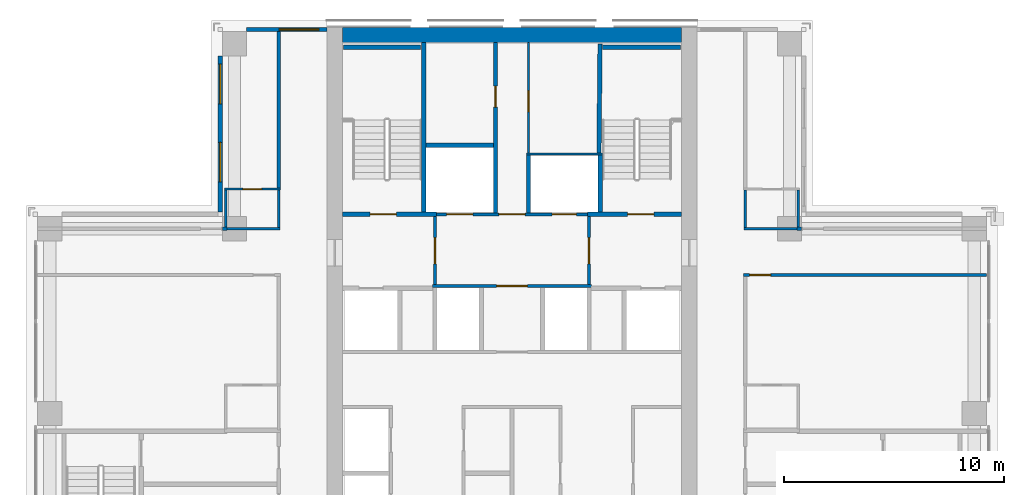
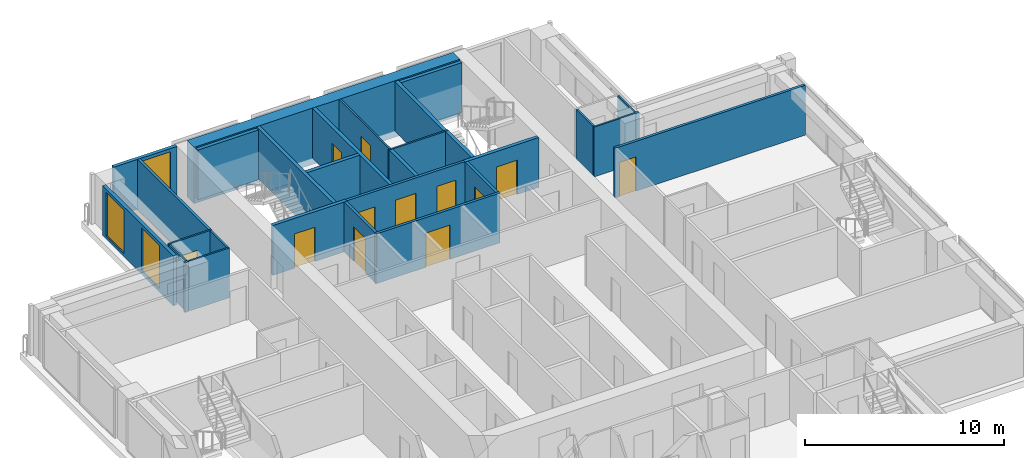
# One storey, part 12 of 16: 30 walls, 12 doors, 3 windows, 15 openings.
"""IFC4 building model written with IfcOpenShell, lengths in metres."""

from ifc_helpers import new_model, si_unit, direction, frame, frame_2d, origin, place, context, subcontext, project, spatial, rectangle, extrude, material, layer, layer_set, type_object, element, fill, save


model = new_model("IFC4")

# Units and contexts
model_context = context("Model", 3, precision=1e-05, world=origin(), true_north=direction((0.0, 1.0)))
body_context = subcontext(model_context, "Body", "Model", "MODEL_VIEW")
ifc_project = project(units=[si_unit("LENGTHUNIT", "METRE"), si_unit("AREAUNIT", "SQUARE_METRE"), si_unit("VOLUMEUNIT", "CUBIC_METRE"), si_unit("PLANEANGLEUNIT", "RADIAN"), si_unit("MASSUNIT", "GRAM", prefix="KILO")], contexts=[model_context])

# Site, building, storey
site_placement = place(None, origin())
site = spatial("IfcSite", under=ifc_project, at=site_placement, CompositionType="ELEMENT")
building_placement = place(site_placement, origin())
building = spatial("IfcBuilding", under=site, at=building_placement, Name="Vermilion Ogive Tower", CompositionType="ELEMENT")
storey_placement = place(building_placement, frame((0.0, 0.0, 136.550048828125)))
storey = spatial("IfcBuildingStorey", under=building, at=storey_placement, Name="L34", CompositionType="ELEMENT", Elevation=136.550048828125)

# Walls
ifc_material_1 = material(Name="Concrete B60", Category="concrete")
ifc_layer_1 = layer(ifc_material_1, 0.699951171875)
ifc_layer_set_1 = layer_set([ifc_layer_1], Name="Core wall 700 B60")
wall_type_1 = type_object("IfcWallType", Name="Core wall 700 B60", PredefinedType="SHEAR", material=ifc_layer_set_1)
wall_1_placement = place(storey_placement, frame((-7.699951171875, 21.39990234375, -0.400146484375), z_axis=(0.0, 0.0, 1.0), x_axis=(1.0, 0.0, 0.0)))
element("IfcWall", 1, at=wall_1_placement, inside=storey, type_object=wall_type_1, Name="L34-CORE-N", PredefinedType="SHEAR", context=body_context, shape_type="SweptSolid", body=[
    extrude(rectangle(XDim=15.39990234375, YDim=0.699951171875, at=frame_2d((7.699951171875, 0.0))), origin(), (0.0, 0.0, 1.0), 3.4501953125),
])
ifc_material_2 = material(Name="Gypsum board partition on steel studs", Category="steel")
ifc_layer_2 = layer(ifc_material_2, 0.10009765625)
ifc_layer_set_2 = layer_set([ifc_layer_2], Name="Partition 100 bath")
wall_type_2 = type_object("IfcWallType", Name="Partition 100 bath", PredefinedType="PARTITIONING", material=ifc_layer_set_2)
for number, where, z_axis, x_axis, name in (
    (2, (-13.050048828125, 12.60009765625, 0.0), (0.0, 0.0, 1.0), (1.0, 0.0, 0.0), "L34-W-W032"),
    (3, (10.550048828125, 12.60009765625, 0.0), (0.0, 0.0, 1.0), (1.0, 0.0, 0.0), "L34-W-W033"),
):
    element("IfcWall", number, at=place(storey_placement, frame(where, z_axis=z_axis, x_axis=x_axis)), inside=storey, type_object=wall_type_2, Name=name, PredefinedType="PARTITIONING", context=body_context, shape_type="SweptSolid", body=[
        extrude(rectangle(XDim=2.5, YDim=0.10009765625, at=frame_2d((1.25, 0.0))), origin(), (0.0, 0.0, 1.0), 3.050048828125),
    ])

# Wall, opening, door
wall_2_placement = place(storey_placement, frame((-13.050048828125, 14.39990234375, 0.0), z_axis=(0.0, 0.0, 1.0), x_axis=(1.0, 0.0, 0.0)))
wall_2 = element("IfcWall", 4, at=wall_2_placement, inside=storey, type_object=wall_type_2, Name="L34-W-W035", PredefinedType="PARTITIONING", context=body_context, shape_type="SweptSolid", body=[
    extrude(rectangle(XDim=2.525146484375, YDim=0.10009765625, at=frame_2d((1.2626953125, 0.0))), origin(), (0.0, 0.0, 1.0), 3.050048828125),
])
opening_1_placement = place(wall_2_placement, frame((0.824951171875, 0.0, 0.0)))
opening_1 = element("IfcOpeningElement", 5, at=opening_1_placement, cuts=wall_2, Name="Opening D3G1006", PredefinedType="OPENING", context=body_context, shape_type="SweptSolid", body=[
    extrude(rectangle(XDim=0.85009765625, YDim=2.10009765625, at=frame_2d((0.425048828125, 1.050048828125))), frame((0.0, 0.06005859375, 0.0), z_axis=(0.0, -1.0, 0.0), x_axis=(1.0, 0.0, 0.0)), (0.0, 0.0, 1.0), 0.1201171875),
])
ifc_material_3 = material(Name="Timber door leaf", Category="wood")
door_type_1 = type_object("IfcDoorType", Name="Bath door 850 x 2100 FD30", OperationType="SINGLE_SWING_LEFT", PredefinedType="DOOR", material=ifc_material_3)
door_1_placement = place(opening_1_placement, origin())
door_1 = element("IfcDoor", 6, at=door_1_placement, inside=storey, type_object=door_type_1, Name="L34-D-D006", OperationType="SINGLE_SWING_RIGHT", OverallHeight=2.10009765625, OverallWidth=0.85009765625, PredefinedType="DOOR", context=body_context, shape_type="SweptSolid", body=[
    extrude(rectangle(XDim=0.85009765625, YDim=2.10009765625, at=frame_2d((0.425048828125, 1.050048828125))), frame((0.0, 0.02490234375, 0.0), z_axis=(0.0, -1.0, 0.0), x_axis=(1.0, 0.0, 0.0)), (0.0, 0.0, 1.0), 0.050048828125),
])
fill(opening_1, door_1)

# Walls
wall_3_placement = place(storey_placement, frame((-13.0, 12.675048828125, 0.0), z_axis=(0.0, 0.0, 1.0), x_axis=(0.0, 1.0, 0.0)))
element("IfcWall", 7, at=wall_3_placement, inside=storey, type_object=wall_type_2, Name="L34-W-W041", PredefinedType="PARTITIONING", context=body_context, shape_type="SweptSolid", body=[
    extrude(rectangle(XDim=1.675048828125, YDim=0.10009765625, at=frame_2d((0.83740234375, 0.0))), origin(), (0.0, 0.0, 1.0), 3.050048828125),
])
for number, where, z_axis, x_axis, name in (
    (8, (-10.60009765625, 12.64990234375, 0.0), (0.0, 0.0, 1.0), (0.0, 1.0, 0.0), "L34-W-W047"),
    (9, (10.60009765625, 12.64990234375, 0.0), (0.0, 0.0, 1.0), (0.0, 1.0, 0.0), "L34-W-W061"),
):
    element("IfcWall", number, at=place(storey_placement, frame(where, z_axis=z_axis, x_axis=x_axis)), inside=storey, type_object=wall_type_2, Name=name, PredefinedType="PARTITIONING", context=body_context, shape_type="SweptSolid", body=[
        extrude(rectangle(XDim=1.7001953125, YDim=0.10009765625, at=frame_2d((0.85009765625, 0.0))), origin(), (0.0, 0.0, 1.0), 3.050048828125),
    ])
wall_4_placement = place(storey_placement, frame((13.0, 12.675048828125, 0.0), z_axis=(0.0, 0.0, 1.0), x_axis=(0.0, 1.0, 0.0)))
element("IfcWall", 10, at=wall_4_placement, inside=storey, type_object=wall_type_2, Name="L34-W-W065", PredefinedType="PARTITIONING", context=body_context, shape_type="SweptSolid", body=[
    extrude(rectangle(XDim=1.675048828125, YDim=0.10009765625, at=frame_2d((0.83740234375, 0.0))), origin(), (0.0, 0.0, 1.0), 3.050048828125),
])
wall_5_placement = place(storey_placement, frame((0.64990234375, 16.0, 0.0), z_axis=(0.0, 0.0, 1.0), x_axis=(1.0, 0.0, 0.0)))
element("IfcWall", 11, at=wall_5_placement, inside=storey, type_object=wall_type_2, Name="L34-CK-W-W018", PredefinedType="PARTITIONING", context=body_context, shape_type="SweptSolid", body=[
    extrude(rectangle(XDim=3.4501953125, YDim=0.10009765625, at=frame_2d((1.72509765625, 0.0))), origin(), (0.0, 0.0, 1.0), 3.050048828125),
])

# Wall, opening, door
wall_6_placement = place(storey_placement, frame((0.75, 16.050048828125, 0.0), z_axis=(0.0, 0.0, 1.0), x_axis=(0.0, 1.0, 0.0)))
wall_6 = element("IfcWall", 12, at=wall_6_placement, inside=storey, type_object=wall_type_2, Name="L34-CK-W-W030", PredefinedType="PARTITIONING", context=body_context, shape_type="SweptSolid", body=[
    extrude(rectangle(XDim=4.9990234375, YDim=0.10009765625, at=frame_2d((2.49951171875, 0.0))), origin(), (0.0, 0.0, 1.0), 3.050048828125),
])
opening_2_placement = place(wall_6_placement, frame((1.875, 0.0, 0.0)))
opening_2 = element("IfcOpeningElement", 13, at=opening_2_placement, cuts=wall_6, Name="Opening DAA288", PredefinedType="OPENING", context=body_context, shape_type="SweptSolid", body=[
    extrude(rectangle(XDim=0.949951171875, YDim=2.10009765625, at=frame_2d((0.47509765625, 1.050048828125))), frame((0.0, 0.06005859375, 0.0), z_axis=(0.0, -1.0, 0.0), x_axis=(1.0, 0.0, 0.0)), (0.0, 0.0, 1.0), 0.1201171875),
])
ifc_material_4 = material(Name="Timber door leaf", Category="wood")
door_type_2 = type_object("IfcDoorType", Name="Service door 950 x 2100 FD60", OperationType="SINGLE_SWING_LEFT", PredefinedType="DOOR", material=ifc_material_4)
door_2_placement = place(opening_2_placement, origin())
door_2 = element("IfcDoor", 14, at=door_2_placement, inside=storey, type_object=door_type_2, Name="L34-CK-D-D022", OperationType="SINGLE_SWING_LEFT", OverallHeight=2.10009765625, OverallWidth=0.949951171875, PredefinedType="DOOR", context=body_context, shape_type="SweptSolid", body=[
    extrude(rectangle(XDim=0.949951171875, YDim=2.10009765625, at=frame_2d((0.47509765625, 1.050048828125))), frame((0.0, 0.02490234375, 0.0), z_axis=(0.0, -1.0, 0.0), x_axis=(1.0, 0.0, 0.0)), (0.0, 0.0, 1.0), 0.050048828125),
])
fill(opening_2, door_2)

ifc_material_5 = material(Name="Gypsum board partition on steel studs", Category="steel")
ifc_layer_3 = layer(ifc_material_5, 0.14990234375)
ifc_layer_set_3 = layer_set([ifc_layer_3], Name="Partition 150 corridor")
wall_type_3 = type_object("IfcWallType", Name="Partition 150 corridor", PredefinedType="PARTITIONING", material=ifc_layer_set_3)
wall_7_placement = place(storey_placement, frame((10.52490234375, 10.5, 0.0), z_axis=(0.0, 0.0, 1.0), x_axis=(1.0, 0.0, 0.0)))
wall_7 = element("IfcWall", 15, at=wall_7_placement, inside=storey, type_object=wall_type_3, Name="L34-W-W030", PredefinedType="PARTITIONING", context=body_context, shape_type="SweptSolid", body=[
    extrude(rectangle(XDim=11.025146484375, YDim=0.14990234375, at=frame_2d((5.5126953125, 0.0))), origin(), (0.0, 0.0, 1.0), 3.050048828125),
])
opening_3_placement = place(wall_7_placement, frame((0.275146484375, 0.0, 0.0)))
opening_3 = element("IfcOpeningElement", 16, at=opening_3_placement, cuts=wall_7, Name="Opening D3G1013", PredefinedType="OPENING", context=body_context, shape_type="SweptSolid", body=[
    extrude(rectangle(XDim=0.949951171875, YDim=2.10009765625, at=frame_2d((0.47509765625, 1.050048828125))), frame((0.0, 0.0849609375, 0.0), z_axis=(0.0, -1.0, 0.0), x_axis=(1.0, 0.0, 0.0)), (0.0, 0.0, 1.0), 0.169921875),
])
ifc_material_6 = material(Name="Timber door leaf", Category="wood")
door_type_3 = type_object("IfcDoorType", Name="Unit door 950 x 2100 FD30S", OperationType="SINGLE_SWING_LEFT", PredefinedType="DOOR", material=ifc_material_6)
door_3_placement = place(opening_3_placement, origin())
door_3 = element("IfcDoor", 17, at=door_3_placement, inside=storey, type_object=door_type_3, Name="L34-D-D013", OperationType="SINGLE_SWING_RIGHT", OverallHeight=2.10009765625, OverallWidth=0.949951171875, PredefinedType="DOOR", context=body_context, shape_type="SweptSolid", body=[
    extrude(rectangle(XDim=0.949951171875, YDim=2.10009765625, at=frame_2d((0.47509765625, 1.050048828125))), frame((0.0, 0.02490234375, 0.0), z_axis=(0.0, -1.0, 0.0), x_axis=(1.0, 0.0, 0.0)), (0.0, 0.0, 1.0), 0.050048828125),
])
fill(opening_3, door_3)

# Walls
wall_8_placement = place(storey_placement, frame((12.949951171875, 12.60009765625, 0.0), z_axis=(0.0, 0.0, 1.0), x_axis=(1.0, 0.0, 0.0)))
element("IfcWall", 18, at=wall_8_placement, inside=storey, type_object=wall_type_3, Name="L34-W-W034", PredefinedType="PARTITIONING", context=body_context, shape_type="SweptSolid", body=[
    extrude(rectangle(XDim=0.199951171875, YDim=0.14990234375, at=frame_2d((0.10009765625, 0.0))), origin(), (0.0, 0.0, 1.0), 3.050048828125),
])
wall_9_placement = place(storey_placement, frame((-10.60009765625, 14.449951171875, 0.0), z_axis=(0.0, 0.0, 1.0), x_axis=(0.0, 1.0, 0.0)))
element("IfcWall", 19, at=wall_9_placement, inside=storey, type_object=wall_type_3, Name="L34-W-W048", PredefinedType="PARTITIONING", context=body_context, shape_type="SweptSolid", body=[
    extrude(rectangle(XDim=7.10009765625, YDim=0.14990234375, at=frame_2d((3.550048828125, 0.0))), origin(), (0.0, 0.0, 1.0), 3.050048828125),
])

# Wall, opening, door
wall_10_placement = place(storey_placement, frame((-3.60009765625, 10.0, 0.0), z_axis=(0.0, 0.0, 1.0), x_axis=(1.0, 0.0, 0.0)))
wall_10 = element("IfcWall", 20, at=wall_10_placement, inside=storey, type_object=wall_type_3, Name="L34-CK-W-W014", PredefinedType="PARTITIONING", context=body_context, shape_type="SweptSolid", body=[
    extrude(rectangle(XDim=7.2001953125, YDim=0.14990234375, at=frame_2d((3.60009765625, 0.0))), origin(), (0.0, 0.0, 1.0), 3.050048828125),
])
opening_4_placement = place(wall_10_placement, frame((2.900146484375, 0.0, 0.0)))
opening_4 = element("IfcOpeningElement", 21, at=opening_4_placement, cuts=wall_10, Name="Opening DAA279", PredefinedType="OPENING", context=body_context, shape_type="SweptSolid", body=[
    extrude(rectangle(XDim=1.39990234375, YDim=2.10009765625, at=frame_2d((0.699951171875, 1.050048828125))), frame((0.0, 0.0849609375, 0.0), z_axis=(0.0, -1.0, 0.0), x_axis=(1.0, 0.0, 0.0)), (0.0, 0.0, 1.0), 0.169921875),
])
ifc_material_7 = material(Name="Timber door leaf", Category="wood")
door_type_4 = type_object("IfcDoorType", Name="Lobby door 1400 x 2100 FD60S", OperationType="SINGLE_SWING_LEFT", PredefinedType="DOOR", material=ifc_material_7)
door_4_placement = place(opening_4_placement, origin())
door_4 = element("IfcDoor", 22, at=door_4_placement, inside=storey, type_object=door_type_4, Name="L34-CK-D-D017", OperationType="SINGLE_SWING_RIGHT", OverallHeight=2.10009765625, OverallWidth=1.39990234375, PredefinedType="DOOR", context=body_context, shape_type="SweptSolid", body=[
    extrude(rectangle(XDim=1.39990234375, YDim=2.10009765625, at=frame_2d((0.699951171875, 1.050048828125))), frame((0.0, 0.02490234375, 0.0), z_axis=(0.0, -1.0, 0.0), x_axis=(1.0, 0.0, 0.0)), (0.0, 0.0, 1.0), 0.050048828125),
])
fill(opening_4, door_4)

# Wall, openings, doors
wall_11_placement = place(storey_placement, frame((-3.574951171875, 13.25, 0.0), z_axis=(0.0, 0.0, 1.0), x_axis=(1.0, 0.0, 0.0)))
wall_11 = element("IfcWall", 23, at=wall_11_placement, inside=storey, type_object=wall_type_3, Name="L34-CK-W-W016", PredefinedType="PARTITIONING", context=body_context, shape_type="SweptSolid", body=[
    extrude(rectangle(XDim=7.14990234375, YDim=0.14990234375, at=frame_2d((3.574951171875, 0.0))), origin(), (0.0, 0.0, 1.0), 3.050048828125),
])
opening_5_placement = place(wall_11_placement, frame((0.599853515625, 0.0, 0.0)))
opening_5 = element("IfcOpeningElement", 24, at=opening_5_placement, cuts=wall_11, Name="Opening DAA299", PredefinedType="OPENING", context=body_context, shape_type="SweptSolid", body=[
    extrude(rectangle(XDim=1.199951171875, YDim=2.10009765625, at=frame_2d((0.60009765625, 1.050048828125))), frame((0.0, 0.0849609375, 0.0), z_axis=(0.0, -1.0, 0.0), x_axis=(1.0, 0.0, 0.0)), (0.0, 0.0, 1.0), 0.169921875),
])
opening_6_placement = place(wall_11_placement, frame((5.39990234375, 0.0, 0.0)))
opening_6 = element("IfcOpeningElement", 25, at=opening_6_placement, cuts=wall_11, Name="Opening DAA298", PredefinedType="OPENING", context=body_context, shape_type="SweptSolid", body=[
    extrude(rectangle(XDim=1.10009765625, YDim=2.10009765625, at=frame_2d((0.550048828125, 1.050048828125))), frame((0.0, 0.0849609375, 0.0), z_axis=(0.0, -1.0, 0.0), x_axis=(1.0, 0.0, 0.0)), (0.0, 0.0, 1.0), 0.169921875),
])
opening_7_placement = place(wall_11_placement, frame((2.974853515625, 0.0, 0.0)))
opening_7 = element("IfcOpeningElement", 26, at=opening_7_placement, cuts=wall_11, Name="Opening DAA280", PredefinedType="OPENING", context=body_context, shape_type="SweptSolid", body=[
    extrude(rectangle(XDim=1.199951171875, YDim=2.10009765625, at=frame_2d((0.60009765625, 1.050048828125))), frame((0.0, 0.0849609375, 0.0), z_axis=(0.0, -1.0, 0.0), x_axis=(1.0, 0.0, 0.0)), (0.0, 0.0, 1.0), 0.169921875),
])
ifc_material_8 = material(Name="Stainless steel", Category="steel")
door_type_5 = type_object("IfcDoorType", Name="Lift landing door 1100 x 2100", OperationType="SLIDING_TO_LEFT", PredefinedType="DOOR", material=ifc_material_8)
door_5_placement = place(opening_6_placement, origin())
door_5 = element("IfcDoor", 27, at=door_5_placement, inside=storey, type_object=door_type_5, Name="L34-CK-D-D019", OperationType="SLIDING_TO_LEFT", OverallHeight=2.10009765625, OverallWidth=1.10009765625, PredefinedType="DOOR", context=body_context, shape_type="SweptSolid", body=[
    extrude(rectangle(XDim=1.10009765625, YDim=2.10009765625, at=frame_2d((0.550048828125, 1.050048828125))), frame((0.0, 0.02490234375, 0.0), z_axis=(0.0, -1.0, 0.0), x_axis=(1.0, 0.0, 0.0)), (0.0, 0.0, 1.0), 0.050048828125),
])
fill(opening_6, door_5)
ifc_material_9 = material(Name="Stainless steel", Category="steel")
door_type_6 = type_object("IfcDoorType", Name="Lift landing door 1200 x 2100", OperationType="SLIDING_TO_LEFT", PredefinedType="DOOR", material=ifc_material_9)
door_6_placement = place(opening_5_placement, origin())
door_6 = element("IfcDoor", 28, at=door_6_placement, inside=storey, type_object=door_type_6, Name="L34-CK-D-D018", OperationType="SLIDING_TO_RIGHT", OverallHeight=2.10009765625, OverallWidth=1.199951171875, PredefinedType="DOOR", context=body_context, shape_type="SweptSolid", body=[
    extrude(rectangle(XDim=1.199951171875, YDim=2.10009765625, at=frame_2d((0.60009765625, 1.050048828125))), frame((0.0, 0.02490234375, 0.0), z_axis=(0.0, -1.0, 0.0), x_axis=(1.0, 0.0, 0.0)), (0.0, 0.0, 1.0), 0.050048828125),
])
fill(opening_5, door_6)
ifc_material_10 = material(Name="Timber door leaf", Category="wood")
door_type_7 = type_object("IfcDoorType", Name="Service door 1200 x 2100 FD60", OperationType="SINGLE_SWING_LEFT", PredefinedType="DOOR", material=ifc_material_10)
door_7_placement = place(opening_7_placement, origin())
door_7 = element("IfcDoor", 29, at=door_7_placement, inside=storey, type_object=door_type_7, Name="L34-CK-D-D020", OperationType="SINGLE_SWING_RIGHT", OverallHeight=2.10009765625, OverallWidth=1.199951171875, PredefinedType="DOOR", context=body_context, shape_type="SweptSolid", body=[
    extrude(rectangle(XDim=1.199951171875, YDim=2.10009765625, at=frame_2d((0.60009765625, 1.050048828125))), frame((0.0, 0.02490234375, 0.0), z_axis=(0.0, -1.0, 0.0), x_axis=(1.0, 0.0, 0.0)), (0.0, 0.0, 1.0), 0.050048828125),
])
fill(opening_7, door_7)

# Wall, opening, door
wall_12_placement = place(storey_placement, frame((-3.5, 10.074951171875, 0.0), z_axis=(0.0, 0.0, 1.0), x_axis=(0.0, 1.0, 0.0)))
wall_12 = element("IfcWall", 30, at=wall_12_placement, inside=storey, type_object=wall_type_3, Name="L34-CK-W-W024", PredefinedType="PARTITIONING", context=body_context, shape_type="SweptSolid", body=[
    extrude(rectangle(XDim=3.074951171875, YDim=0.14990234375, at=frame_2d((1.53759765625, 0.0))), origin(), (0.0, 0.0, 1.0), 3.050048828125),
])
opening_8_placement = place(wall_12_placement, frame((0.925048828125, 0.0, 0.0)))
opening_8 = element("IfcOpeningElement", 31, at=opening_8_placement, cuts=wall_12, Name="Opening DAA276", PredefinedType="OPENING", context=body_context, shape_type="SweptSolid", body=[
    extrude(rectangle(XDim=1.199951171875, YDim=2.10009765625, at=frame_2d((0.60009765625, 1.050048828125))), frame((0.0, 0.0849609375, 0.0), z_axis=(0.0, -1.0, 0.0), x_axis=(1.0, 0.0, 0.0)), (0.0, 0.0, 1.0), 0.169921875),
])
ifc_material_11 = material(Name="Timber door leaf", Category="wood")
door_type_8 = type_object("IfcDoorType", Name="Lobby door 1200 x 2100 FD60S", OperationType="SINGLE_SWING_LEFT", PredefinedType="DOOR", material=ifc_material_11)
door_8_placement = place(opening_8_placement, origin())
door_8 = element("IfcDoor", 32, at=door_8_placement, inside=storey, type_object=door_type_8, Name="L34-CK-D-D023", OperationType="SINGLE_SWING_RIGHT", OverallHeight=2.10009765625, OverallWidth=1.199951171875, PredefinedType="DOOR", context=body_context, shape_type="SweptSolid", body=[
    extrude(rectangle(XDim=1.199951171875, YDim=2.10009765625, at=frame_2d((0.60009765625, 1.050048828125))), frame((0.0, 0.02490234375, 0.0), z_axis=(0.0, -1.0, 0.0), x_axis=(1.0, 0.0, 0.0)), (0.0, 0.0, 1.0), 0.050048828125),
])
fill(opening_8, door_8)

wall_13_placement = place(storey_placement, frame((3.5, 10.074951171875, 0.0), z_axis=(0.0, 0.0, 1.0), x_axis=(0.0, 1.0, 0.0)))
wall_13 = element("IfcWall", 33, at=wall_13_placement, inside=storey, type_object=wall_type_3, Name="L34-CK-W-W034", PredefinedType="PARTITIONING", context=body_context, shape_type="SweptSolid", body=[
    extrude(rectangle(XDim=3.074951171875, YDim=0.14990234375, at=frame_2d((1.53759765625, 0.0))), origin(), (0.0, 0.0, 1.0), 3.050048828125),
])
opening_9_placement = place(wall_13_placement, frame((0.925048828125, 0.0, 0.0)))
opening_9 = element("IfcOpeningElement", 34, at=opening_9_placement, cuts=wall_13, Name="Opening DAA277", PredefinedType="OPENING", context=body_context, shape_type="SweptSolid", body=[
    extrude(rectangle(XDim=1.199951171875, YDim=2.10009765625, at=frame_2d((0.60009765625, 1.050048828125))), frame((0.0, 0.0849609375, 0.0), z_axis=(0.0, -1.0, 0.0), x_axis=(1.0, 0.0, 0.0)), (0.0, 0.0, 1.0), 0.169921875),
])
door_9_placement = place(opening_9_placement, origin())
door_9 = element("IfcDoor", 35, at=door_9_placement, inside=storey, type_object=door_type_8, Name="L34-CK-D-D024", OperationType="SINGLE_SWING_LEFT", OverallHeight=2.10009765625, OverallWidth=1.199951171875, PredefinedType="DOOR", context=body_context, shape_type="SweptSolid", body=[
    extrude(rectangle(XDim=1.199951171875, YDim=2.10009765625, at=frame_2d((0.60009765625, 1.050048828125))), frame((0.0, 0.02490234375, 0.0), z_axis=(0.0, -1.0, 0.0), x_axis=(1.0, 0.0, 0.0)), (0.0, 0.0, 1.0), 0.050048828125),
])
fill(opening_9, door_9)

# Walls
wall_14_placement = place(storey_placement, frame((-13.14990234375, 12.60009765625, 0.0), z_axis=(0.0, 0.0, 1.0), x_axis=(1.0, 0.0, 0.0)))
element("IfcWall", 36, at=wall_14_placement, inside=storey, type_object=wall_type_3, Name="L34-W-W031-h2", PredefinedType="PARTITIONING", context=body_context, shape_type="SweptSolid", body=[
    extrude(rectangle(XDim=0.199951171875, YDim=0.14990234375, at=frame_2d((0.10009765625, 0.0))), origin(), (0.0, 0.0, 1.0), 3.050048828125),
])
ifc_material_12 = material(Name="Gypsum board partition on steel studs", Category="steel")
ifc_layer_4 = layer(ifc_material_12, 0.199951171875)
ifc_layer_set_4 = layer_set([ifc_layer_4], Name="Partition 200 party")
wall_type_4 = type_object("IfcWallType", Name="Partition 200 party", PredefinedType="PARTITIONING", material=ifc_layer_set_4)
wall_15_placement = place(storey_placement, frame((-3.89990234375, 16.39990234375, 0.0), z_axis=(0.0, 0.0, 1.0), x_axis=(1.0, 0.0, 0.0)))
element("IfcWall", 37, at=wall_15_placement, inside=storey, type_object=wall_type_4, Name="L34-CK-W-W019", PredefinedType="PARTITIONING", context=body_context, shape_type="SweptSolid", body=[
    extrude(rectangle(XDim=3.0498046875, YDim=0.199951171875, at=frame_2d((1.52490234375, 0.0))), origin(), (0.0, 0.0, 1.0), 3.050048828125),
])

# Wall, opening, door
wall_16_placement = place(storey_placement, frame((-0.75, 13.324951171875, 0.0), z_axis=(0.0, 0.0, 1.0), x_axis=(0.0, 1.0, 0.0)))
wall_16 = element("IfcWall", 38, at=wall_16_placement, inside=storey, type_object=wall_type_4, Name="L34-CK-W-W027", PredefinedType="PARTITIONING", context=body_context, shape_type="SweptSolid", body=[
    extrude(rectangle(XDim=7.72412109375, YDim=0.199951171875, at=frame_2d((3.862060546875, 0.0))), origin(), (0.0, 0.0, 1.0), 3.050048828125),
])
opening_10_placement = place(wall_16_placement, frame((4.800048828125, 0.0, 0.0)))
opening_10 = element("IfcOpeningElement", 39, at=opening_10_placement, cuts=wall_16, Name="Opening DAA287", PredefinedType="OPENING", context=body_context, shape_type="SweptSolid", body=[
    extrude(rectangle(XDim=0.949951171875, YDim=2.10009765625, at=frame_2d((0.47509765625, 1.050048828125))), frame((0.0, 0.10986328125, 0.0), z_axis=(0.0, -1.0, 0.0), x_axis=(1.0, 0.0, 0.0)), (0.0, 0.0, 1.0), 0.219970703125),
])
door_10_placement = place(opening_10_placement, origin())
door_10 = element("IfcDoor", 40, at=door_10_placement, inside=storey, type_object=door_type_2, Name="L34-CK-D-D021", OperationType="SINGLE_SWING_RIGHT", OverallHeight=2.10009765625, OverallWidth=0.949951171875, PredefinedType="DOOR", context=body_context, shape_type="SweptSolid", body=[
    extrude(rectangle(XDim=0.949951171875, YDim=2.10009765625, at=frame_2d((0.47509765625, 1.050048828125))), frame((0.0, 0.02490234375, 0.0), z_axis=(0.0, -1.0, 0.0), x_axis=(1.0, 0.0, 0.0)), (0.0, 0.0, 1.0), 0.050048828125),
])
fill(opening_10, door_10)

# Wall
wall_17_placement = place(storey_placement, frame((0.75, 13.324951171875, 0.0), z_axis=(0.0, 0.0, 1.0), x_axis=(0.0, 1.0, 0.0)))
element("IfcWall", 41, at=wall_17_placement, inside=storey, type_object=wall_type_4, Name="L34-CK-W-W029", PredefinedType="PARTITIONING", context=body_context, shape_type="SweptSolid", body=[
    extrude(rectangle(XDim=2.625, YDim=0.199951171875, at=frame_2d((1.3125, 0.0))), origin(), (0.0, 0.0, 1.0), 3.050048828125),
])

# Wall, opening, door
ifc_material_13 = material(Name="Concrete B60", Category="concrete")
ifc_layer_5 = layer(ifc_material_13, 0.199951171875)
ifc_layer_set_5 = layer_set([ifc_layer_5], Name="Stair shaft wall 200 Concrete B60")
wall_type_5 = type_object("IfcWallType", Name="Stair shaft wall 200 Concrete B60", PredefinedType="SOLIDWALL", material=ifc_layer_set_5)
wall_18_placement = place(storey_placement, frame((-7.698974609375, 13.25, 0.0), z_axis=(0.0, 0.0, 1.0), x_axis=(1.0, 0.0, 0.0)))
wall_18 = element("IfcWall", 42, at=wall_18_placement, inside=storey, type_object=wall_type_5, Name="L34-CK-W-W015", PredefinedType="SOLIDWALL", context=body_context, shape_type="SweptSolid", body=[
    extrude(rectangle(XDim=4.27392578125, YDim=0.199951171875, at=frame_2d((2.136962890625, 0.0))), origin(), (0.0, 0.0, 1.0), 3.050048828125),
])
opening_11_placement = place(wall_18_placement, frame((1.2490234375, 0.0, 0.0)))
opening_11 = element("IfcOpeningElement", 43, at=opening_11_placement, cuts=wall_18, Name="Opening DAA289", PredefinedType="OPENING", context=body_context, shape_type="SweptSolid", body=[
    extrude(rectangle(XDim=1.199951171875, YDim=2.10009765625, at=frame_2d((0.60009765625, 1.050048828125))), frame((0.0, 0.10986328125, 0.0), z_axis=(0.0, -1.0, 0.0), x_axis=(1.0, 0.0, 0.0)), (0.0, 0.0, 1.0), 0.219970703125),
])
ifc_material_14 = material(Name="Timber door leaf", Category="wood")
door_type_9 = type_object("IfcDoorType", Name="Stair door 1200 x 2100 FD60S", OperationType="SINGLE_SWING_LEFT", PredefinedType="DOOR", material=ifc_material_14)
door_11_placement = place(opening_11_placement, origin())
door_11 = element("IfcDoor", 44, at=door_11_placement, inside=storey, type_object=door_type_9, Name="L34-CK-D-D012", OperationType="SINGLE_SWING_LEFT", OverallHeight=2.10009765625, OverallWidth=1.199951171875, PredefinedType="DOOR", context=body_context, shape_type="SweptSolid", body=[
    extrude(rectangle(XDim=1.199951171875, YDim=2.10009765625, at=frame_2d((0.60009765625, 1.050048828125))), frame((0.0, 0.02490234375, 0.0), z_axis=(0.0, -1.0, 0.0), x_axis=(1.0, 0.0, 0.0)), (0.0, 0.0, 1.0), 0.050048828125),
])
fill(opening_11, door_11)

wall_19_placement = place(storey_placement, frame((3.425048828125, 13.25, 0.0), z_axis=(0.0, 0.0, 1.0), x_axis=(1.0, 0.0, 0.0)))
wall_19 = element("IfcWall", 45, at=wall_19_placement, inside=storey, type_object=wall_type_5, Name="L34-CK-W-W017", PredefinedType="SOLIDWALL", context=body_context, shape_type="SweptSolid", body=[
    extrude(rectangle(XDim=4.27392578125, YDim=0.199951171875, at=frame_2d((2.136962890625, 0.0))), origin(), (0.0, 0.0, 1.0), 3.050048828125),
])
opening_12_placement = place(wall_19_placement, frame((1.824951171875, 0.0, 0.0)))
opening_12 = element("IfcOpeningElement", 46, at=opening_12_placement, cuts=wall_19, Name="Opening DAA290", PredefinedType="OPENING", context=body_context, shape_type="SweptSolid", body=[
    extrude(rectangle(XDim=1.199951171875, YDim=2.10009765625, at=frame_2d((0.60009765625, 1.050048828125))), frame((0.0, 0.10986328125, 0.0), z_axis=(0.0, -1.0, 0.0), x_axis=(1.0, 0.0, 0.0)), (0.0, 0.0, 1.0), 0.219970703125),
])
door_12_placement = place(opening_12_placement, origin())
door_12 = element("IfcDoor", 47, at=door_12_placement, inside=storey, type_object=door_type_9, Name="L34-CK-D-D014", OperationType="SINGLE_SWING_RIGHT", OverallHeight=2.10009765625, OverallWidth=1.199951171875, PredefinedType="DOOR", context=body_context, shape_type="SweptSolid", body=[
    extrude(rectangle(XDim=1.199951171875, YDim=2.10009765625, at=frame_2d((0.60009765625, 1.050048828125))), frame((0.0, 0.02490234375, 0.0), z_axis=(0.0, -1.0, 0.0), x_axis=(1.0, 0.0, 0.0)), (0.0, 0.0, 1.0), 0.050048828125),
])
fill(opening_12, door_12)

# Walls
wall_20_placement = place(storey_placement, frame((-4.0, 13.35009765625, 0.0), z_axis=(0.0, 0.0, 1.0), x_axis=(0.0, 1.0, 0.0)))
element("IfcWall", 48, at=wall_20_placement, inside=storey, type_object=wall_type_5, Name="L34-CK-W-W022", PredefinedType="SOLIDWALL", context=body_context, shape_type="SweptSolid", body=[
    extrude(rectangle(XDim=7.698974609375, YDim=0.199951171875, at=frame_2d((3.849609375, 0.0))), origin(), (0.0, 0.0, 1.0), 3.050048828125),
])
wall_21_placement = place(storey_placement, frame((4.0, 13.35009765625, 0.0), z_axis=(0.0, 0.0, 1.0), x_axis=(0.0, 1.0, 0.0)))
element("IfcWall", 49, at=wall_21_placement, inside=storey, type_object=wall_type_5, Name="L34-CK-W-W035", PredefinedType="SOLIDWALL", context=body_context, shape_type="SweptSolid", body=[
    extrude(rectangle(XDim=2.599853515625, YDim=0.199951171875, at=frame_2d((1.2998046875, 0.0))), origin(), (0.0, 0.0, 1.0), 3.050048828125),
])
wall_22_placement = place(storey_placement, frame((3.949951171875, 16.050048828125, 0.0), z_axis=(0.0, 0.0, 1.0), x_axis=(0.010112452169, 0.999948867848, 0.0)))
element("IfcWall", 50, at=wall_22_placement, inside=storey, type_object=wall_type_5, Name="L34-CK-W-W036", PredefinedType="SOLIDWALL", context=body_context, shape_type="SweptSolid", body=[
    extrude(rectangle(XDim=4.94921875, YDim=0.199951171875, at=frame_2d((2.474609375, 0.0))), origin(), (0.0, 0.0, 1.0), 3.050048828125),
])
wall_23_placement = place(storey_placement, frame((-7.64990234375, 20.85009765625, 0.0), z_axis=(0.0, 0.0, 1.0), x_axis=(1.0, 0.0, 0.0)))
element("IfcWall", 51, at=wall_23_placement, inside=storey, type_object=wall_type_5, Name="L34-SW-R017-N1", PredefinedType="SOLIDWALL", context=body_context, shape_type="SweptSolid", body=[
    extrude(rectangle(XDim=3.5, YDim=0.199951171875, at=frame_2d((1.75, 0.0))), origin(), (0.0, 0.0, 1.0), 3.050048828125),
])
wall_24_placement = place(storey_placement, frame((4.10009765625, 20.85009765625, 0.0), z_axis=(0.0, 0.0, 1.0), x_axis=(1.0, 0.0, 0.0)))
element("IfcWall", 52, at=wall_24_placement, inside=storey, type_object=wall_type_5, Name="L34-SW-R021-N1", PredefinedType="SOLIDWALL", context=body_context, shape_type="SweptSolid", body=[
    extrude(rectangle(XDim=3.5498046875, YDim=0.199951171875, at=frame_2d((1.77490234375, 0.0))), origin(), (0.0, 0.0, 1.0), 3.050048828125),
])

# Wall, opening, window
ifc_material_15 = material(Name="Aluminium window wall framing", Category="aluminium")
ifc_layer_6 = layer(ifc_material_15, 0.199951171875)
ifc_layer_set_6 = layer_set([ifc_layer_6], Name="Window wall")
wall_type_6 = type_object("IfcWallType", Name="Window wall", PredefinedType="STANDARD", material=ifc_layer_set_6)
wall_25_placement = place(storey_placement, frame((-8.39990234375, 21.64990234375, 0.0), z_axis=(0.0, 0.0, 1.0), x_axis=(-1.0, 0.0, 0.0)))
wall_25 = element("IfcWall", 53, at=wall_25_placement, inside=storey, type_object=wall_type_6, Name="Window wall N21", PredefinedType="STANDARD", context=body_context, shape_type="SweptSolid", body=[
    extrude(rectangle(XDim=3.650146484375, YDim=0.199951171875, at=frame_2d((1.8251953125, 0.0))), origin(), (0.0, 0.0, 1.0), 3.050048828125),
])
opening_13_placement = place(wall_25_placement, frame((0.375, 0.0, 0.199951171875)))
opening_13 = element("IfcOpeningElement", 54, at=opening_13_placement, cuts=wall_25, Name="Opening W1-N297", PredefinedType="OPENING", context=body_context, shape_type="SweptSolid", body=[
    extrude(rectangle(XDim=1.800048828125, YDim=2.64990234375, at=frame_2d((0.89990234375, 1.324951171875))), frame((0.0, 0.10986328125, 0.0), z_axis=(0.0, -1.0, 0.0), x_axis=(1.0, 0.0, 0.0)), (0.0, 0.0, 1.0), 0.219970703125),
])
ifc_material_16 = material(Name="Aluminium framed double glazing", Category="aluminium")
window_type = type_object("IfcWindowType", Name="Guest window W1", PartitioningType="SINGLE_PANEL", PredefinedType="WINDOW", material=ifc_material_16)
window_1_placement = place(opening_13_placement, origin())
window_1 = element("IfcWindow", 55, at=window_1_placement, inside=storey, type_object=window_type, Name="Window N297", OverallHeight=2.64990234375, OverallWidth=1.800048828125, PartitioningType="SINGLE_PANEL", PredefinedType="WINDOW", context=body_context, shape_type="SweptSolid", body=[
    extrude(rectangle(XDim=1.800048828125, YDim=2.64990234375, at=frame_2d((0.89990234375, 1.324951171875))), frame((0.0, 0.030029296875, 0.0), z_axis=(0.0, -1.0, 0.0), x_axis=(1.0, 0.0, 0.0)), (0.0, 0.0, 1.0), 0.06005859375),
])
fill(opening_13, window_1)

# Wall, openings, windows
wall_26_placement = place(storey_placement, frame((-13.25, 20.449951171875, 0.0), z_axis=(0.0, 0.0, 1.0), x_axis=(0.0, -1.0, 0.0)))
wall_26 = element("IfcWall", 56, at=wall_26_placement, inside=storey, type_object=wall_type_6, Name="Window wall X51", PredefinedType="STANDARD", context=body_context, shape_type="SweptSolid", body=[
    extrude(rectangle(XDim=7.099853515625, YDim=0.199951171875, at=frame_2d((3.5498046875, 0.0))), origin(), (0.0, 0.0, 1.0), 3.050048828125),
])
opening_14_placement = place(wall_26_placement, frame((3.925048828125, 0.0, 0.199951171875)))
opening_14 = element("IfcOpeningElement", 57, at=opening_14_placement, cuts=wall_26, Name="Opening W1-X503", PredefinedType="OPENING", context=body_context, shape_type="SweptSolid", body=[
    extrude(rectangle(XDim=1.800048828125, YDim=2.64990234375, at=frame_2d((0.89990234375, 1.324951171875))), frame((0.0, 0.10986328125, 0.0), z_axis=(0.0, -1.0, 0.0), x_axis=(1.0, 0.0, 0.0)), (0.0, 0.0, 1.0), 0.219970703125),
])
opening_15_placement = place(wall_26_placement, frame((0.375, 0.0, 0.199951171875)))
opening_15 = element("IfcOpeningElement", 58, at=opening_15_placement, cuts=wall_26, Name="Opening W1-X504", PredefinedType="OPENING", context=body_context, shape_type="SweptSolid", body=[
    extrude(rectangle(XDim=1.800048828125, YDim=2.64990234375, at=frame_2d((0.89990234375, 1.324951171875))), frame((0.0, 0.10986328125, 0.0), z_axis=(0.0, -1.0, 0.0), x_axis=(1.0, 0.0, 0.0)), (0.0, 0.0, 1.0), 0.219970703125),
])
window_2_placement = place(opening_14_placement, origin())
window_2 = element("IfcWindow", 59, at=window_2_placement, inside=storey, type_object=window_type, Name="Window X503", OverallHeight=2.64990234375, OverallWidth=1.800048828125, PartitioningType="SINGLE_PANEL", PredefinedType="WINDOW", context=body_context, shape_type="SweptSolid", body=[
    extrude(rectangle(XDim=1.800048828125, YDim=2.64990234375, at=frame_2d((0.89990234375, 1.324951171875))), frame((0.0, 0.030029296875, 0.0), z_axis=(0.0, -1.0, 0.0), x_axis=(1.0, 0.0, 0.0)), (0.0, 0.0, 1.0), 0.06005859375),
])
fill(opening_14, window_2)
window_3_placement = place(opening_15_placement, origin())
window_3 = element("IfcWindow", 60, at=window_3_placement, inside=storey, type_object=window_type, Name="Window X504", OverallHeight=2.64990234375, OverallWidth=1.800048828125, PartitioningType="SINGLE_PANEL", PredefinedType="WINDOW", context=body_context, shape_type="SweptSolid", body=[
    extrude(rectangle(XDim=1.800048828125, YDim=2.64990234375, at=frame_2d((0.89990234375, 1.324951171875))), frame((0.0, 0.030029296875, 0.0), z_axis=(0.0, -1.0, 0.0), x_axis=(1.0, 0.0, 0.0)), (0.0, 0.0, 1.0), 0.06005859375),
])
fill(opening_15, window_3)

save(model, "model.ifc")
